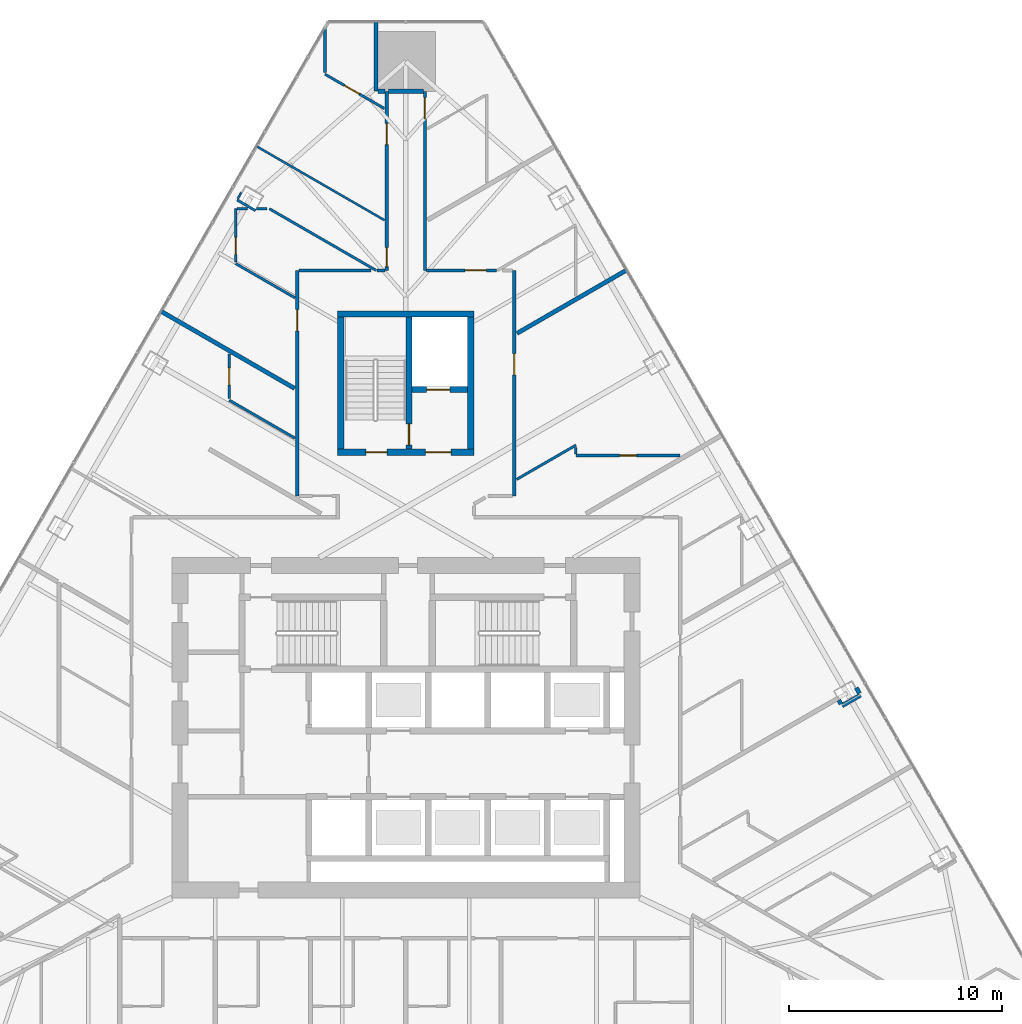
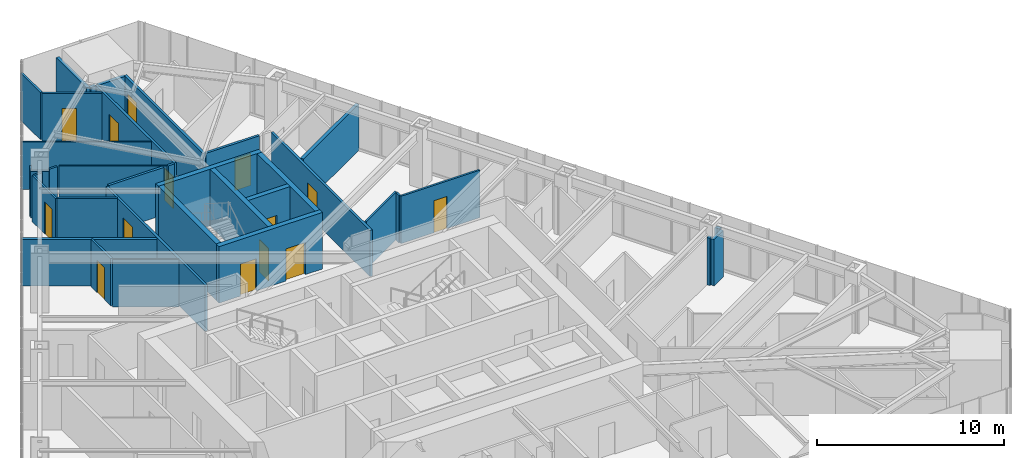
# One storey, part 23 of 26: 36 walls, 14 doors, 14 openings.
"""IFC4 building model written with IfcOpenShell, lengths in metres."""

from ifc_helpers import new_model, si_unit, direction, frame, frame_2d, origin, place, context, subcontext, project, spatial, rectangle, extrude, material, layer, layer_set, type_object, element, fill, save


model = new_model("IFC4")

# Units and contexts
model_context = context("Model", 3, precision=1e-05, world=origin(), true_north=direction((0.0, 1.0)))
body_context = subcontext(model_context, "Body", "Model", "MODEL_VIEW")
ifc_project = project(units=[si_unit("LENGTHUNIT", "METRE"), si_unit("AREAUNIT", "SQUARE_METRE"), si_unit("VOLUMEUNIT", "CUBIC_METRE"), si_unit("PLANEANGLEUNIT", "RADIAN"), si_unit("MASSUNIT", "GRAM", prefix="KILO")], contexts=[model_context])

# Site, building, storey
site_placement = place(None, origin())
site = spatial("IfcSite", under=ifc_project, at=site_placement, CompositionType="ELEMENT")
building_placement = place(site_placement, origin())
building = spatial("IfcBuilding", under=site, at=building_placement, Name="Firuza Gate Tower and Library", CompositionType="ELEMENT")
storey_placement = place(building_placement, frame((0.0, 0.0, 175.300048828125)))
storey = spatial("IfcBuildingStorey", under=building, at=storey_placement, Name="L40", CompositionType="ELEMENT", Elevation=175.300048828125)

# Wall, openings, doors
ifc_material_1 = material(Name="Concrete C80/95", Category="concrete")
ifc_layer_1 = layer(ifc_material_1, 0.300048828125)
ifc_layer_set_1 = layer_set([ifc_layer_1], Name="Core wall 300 C80/95")
wall_type_1 = type_object("IfcWallType", Name="Core wall 300 C80/95", PredefinedType="SHEAR", material=ifc_layer_set_1)
wall_1_placement = place(storey_placement, frame((71.800048828125, 87.949951171875, 0.0), z_axis=(0.0, 0.0, 1.0), x_axis=(1.0, 0.0, 0.0)))
wall_1 = element("IfcWall", 1, at=wall_1_placement, inside=storey, type_object=wall_type_1, Name="Core wall L40 27", PredefinedType="SHEAR", context=body_context, shape_type="SweptSolid", body=[
    extrude(rectangle(XDim=6.39990234375, YDim=0.300048828125, at=frame_2d((3.199951171875, 0.0))), origin(), (0.0, 0.0, 1.0), 3.699951171875),
])
opening_1_placement = place(wall_1_placement, frame((1.324951171875, 0.0, 0.0)))
opening_1 = element("IfcOpeningElement", 2, at=opening_1_placement, cuts=wall_1, Name="Opening L40-K15", PredefinedType="OPENING", context=body_context, shape_type="SweptSolid", body=[
    extrude(rectangle(XDim=1.0, YDim=2.10009765625, at=frame_2d((0.5, 1.050048828125))), frame((0.0, 0.16015625, 0.0), z_axis=(0.0, -1.0, 0.0), x_axis=(1.0, 0.0, 0.0)), (0.0, 0.0, 1.0), 0.320068359375),
])
opening_2_placement = place(wall_1_placement, frame((4.125, 0.0, 0.0)))
opening_2 = element("IfcOpeningElement", 3, at=opening_2_placement, cuts=wall_1, Name="Opening L40-K17", PredefinedType="OPENING", context=body_context, shape_type="SweptSolid", body=[
    extrude(rectangle(XDim=1.199951171875, YDim=2.10009765625, at=frame_2d((0.60009765625, 1.050048828125))), frame((0.0, 0.16015625, 0.0), z_axis=(0.0, -1.0, 0.0), x_axis=(1.0, 0.0, 0.0)), (0.0, 0.0, 1.0), 0.320068359375),
])
ifc_material_2 = material(Name="Steel", Category="steel")
door_type_1 = type_object("IfcDoorType", Name="Fire door 1000x2100 FD90", OperationType="NOTDEFINED", PredefinedType="DOOR", material=ifc_material_2)
door_1_placement = place(opening_1_placement, origin())
door_1 = element("IfcDoor", 4, at=door_1_placement, inside=storey, type_object=door_type_1, Name="Door L40-K15", OperationType="SINGLE_SWING_RIGHT", OverallHeight=2.10009765625, OverallWidth=1.0, PredefinedType="DOOR", context=body_context, shape_type="SweptSolid", body=[
    extrude(rectangle(XDim=1.0, YDim=2.10009765625, at=frame_2d((0.5, 1.050048828125))), frame((0.0, 0.02490234375, 0.0), z_axis=(0.0, -1.0, 0.0), x_axis=(1.0, 0.0, 0.0)), (0.0, 0.0, 1.0), 0.050048828125),
])
fill(opening_1, door_1)
ifc_material_3 = material(Name="Steel", Category="steel")
door_type_2 = type_object("IfcDoorType", Name="Fire door 1200x2100 FD30S", OperationType="NOTDEFINED", PredefinedType="DOOR", material=ifc_material_3)
door_2_placement = place(opening_2_placement, origin())
door_2 = element("IfcDoor", 5, at=door_2_placement, inside=storey, type_object=door_type_2, Name="Door L40-K17", OperationType="SINGLE_SWING_RIGHT", OverallHeight=2.10009765625, OverallWidth=1.199951171875, PredefinedType="DOOR", context=body_context, shape_type="SweptSolid", body=[
    extrude(rectangle(XDim=1.199951171875, YDim=2.10009765625, at=frame_2d((0.60009765625, 1.050048828125))), frame((0.0, 0.02490234375, 0.0), z_axis=(0.0, -1.0, 0.0), x_axis=(1.0, 0.0, 0.0)), (0.0, 0.0, 1.0), 0.050048828125),
])
fill(opening_2, door_2)

# Walls
wall_2_placement = place(storey_placement, frame((71.800048828125, 94.449951171875, 0.0), z_axis=(0.0, 0.0, 1.0), x_axis=(1.0, 0.0, 0.0)))
element("IfcWall", 6, at=wall_2_placement, inside=storey, type_object=wall_type_1, Name="Core wall L40 28", PredefinedType="SHEAR", context=body_context, shape_type="SweptSolid", body=[
    extrude(rectangle(XDim=6.39990234375, YDim=0.300048828125, at=frame_2d((3.199951171875, 0.0))), origin(), (0.0, 0.0, 1.0), 3.699951171875),
])
for number, where, z_axis, x_axis, name in (
    (7, (71.949951171875, 88.10009765625, 0.0), (0.0, 0.0, 1.0), (0.0, 1.0, 0.0), "Core wall L40 29"),
    (8, (78.050048828125, 88.10009765625, 0.0), (0.0, 0.0, 1.0), (0.0, 1.0, 0.0), "Core wall L40 30"),
):
    element("IfcWall", number, at=place(storey_placement, frame(where, z_axis=z_axis, x_axis=x_axis)), inside=storey, type_object=wall_type_1, Name=name, PredefinedType="SHEAR", context=body_context, shape_type="SweptSolid", body=[
        extrude(rectangle(XDim=6.199951171875, YDim=0.300048828125, at=frame_2d((3.10009765625, 0.0))), origin(), (0.0, 0.0, 1.0), 3.699951171875),
    ])

# Wall, opening, door
wall_3_placement = place(storey_placement, frame((75.300048828125, 90.89990234375, 0.0), z_axis=(0.0, 0.0, 1.0), x_axis=(1.0, 0.0, 0.0)))
wall_3 = element("IfcWall", 9, at=wall_3_placement, inside=storey, type_object=wall_type_1, Name="Core wall L40 31", PredefinedType="SHEAR", context=body_context, shape_type="SweptSolid", body=[
    extrude(rectangle(XDim=2.599853515625, YDim=0.300048828125, at=frame_2d((1.2998046875, 0.0))), origin(), (0.0, 0.0, 1.0), 3.699951171875),
])
opening_3_placement = place(wall_3_placement, frame((0.675048828125, 0.0, 0.0)))
opening_3 = element("IfcOpeningElement", 10, at=opening_3_placement, cuts=wall_3, Name="Opening LD-SV1-L40", PredefinedType="OPENING", context=body_context, shape_type="SweptSolid", body=[
    extrude(rectangle(XDim=1.10009765625, YDim=2.10009765625, at=frame_2d((0.550048828125, 1.050048828125))), frame((0.0, 0.16015625, 0.0), z_axis=(0.0, -1.0, 0.0), x_axis=(1.0, 0.0, 0.0)), (0.0, 0.0, 1.0), 0.320068359375),
])
ifc_material_4 = material(Name="Stainless steel", Category="steel")
door_type_3 = type_object("IfcDoorType", Name="Lift landing door 1100x2100", OperationType="DOUBLE_DOOR_SLIDING", PredefinedType="DOOR", material=ifc_material_4)
door_3_placement = place(opening_3_placement, origin())
door_3 = element("IfcDoor", 11, at=door_3_placement, inside=storey, type_object=door_type_3, Name="Landing door SV1 L40", OperationType="DOUBLE_DOOR_SLIDING", OverallHeight=2.10009765625, OverallWidth=1.10009765625, PredefinedType="DOOR", context=body_context, shape_type="SweptSolid", body=[
    extrude(rectangle(XDim=1.10009765625, YDim=2.10009765625, at=frame_2d((0.550048828125, 1.050048828125))), frame((0.0, 0.02490234375, 0.0), z_axis=(0.0, -1.0, 0.0), x_axis=(1.0, 0.0, 0.0)), (0.0, 0.0, 1.0), 0.050048828125),
])
fill(opening_3, door_3)

wall_4_placement = place(storey_placement, frame((75.14990234375, 88.10009765625, 0.0), z_axis=(0.0, 0.0, 1.0), x_axis=(0.0, 1.0, 0.0)))
wall_4 = element("IfcWall", 12, at=wall_4_placement, inside=storey, type_object=wall_type_1, Name="Core wall L40 32", PredefinedType="SHEAR", context=body_context, shape_type="SweptSolid", body=[
    extrude(rectangle(XDim=6.199951171875, YDim=0.300048828125, at=frame_2d((3.10009765625, 0.0))), origin(), (0.0, 0.0, 1.0), 3.699951171875),
])
opening_4_placement = place(wall_4_placement, frame((0.18505859375, 0.0, 0.0)))
opening_4 = element("IfcOpeningElement", 13, at=opening_4_placement, cuts=wall_4, Name="Opening L40-K16", PredefinedType="OPENING", context=body_context, shape_type="SweptSolid", body=[
    extrude(rectangle(XDim=1.0, YDim=2.10009765625, at=frame_2d((0.5, 1.050048828125))), frame((0.0, 0.16015625, 0.0), z_axis=(0.0, -1.0, 0.0), x_axis=(1.0, 0.0, 0.0)), (0.0, 0.0, 1.0), 0.320068359375),
])
door_4_placement = place(opening_4_placement, origin())
door_4 = element("IfcDoor", 14, at=door_4_placement, inside=storey, type_object=door_type_1, Name="Door L40-K16", OperationType="SINGLE_SWING_LEFT", OverallHeight=2.10009765625, OverallWidth=1.0, PredefinedType="DOOR", context=body_context, shape_type="SweptSolid", body=[
    extrude(rectangle(XDim=1.0, YDim=2.10009765625, at=frame_2d((0.5, 1.050048828125))), frame((0.0, 0.02490234375, 0.0), z_axis=(0.0, -1.0, 0.0), x_axis=(1.0, 0.0, 0.0)), (0.0, 0.0, 1.0), 0.050048828125),
])
fill(opening_4, door_4)

# Wall
ifc_material_5 = material(Name="Gypsum board partition")
ifc_layer_2 = layer(ifc_material_5, 0.14990234375)
ifc_layer_set_2 = layer_set([ifc_layer_2], Name="Corridor wall 150 double board on steel studs")
wall_type_2 = type_object("IfcWallType", Name="Corridor wall 150 double board on steel studs", PredefinedType="PARTITIONING", material=ifc_layer_set_2)
wall_5_placement = place(storey_placement, frame((69.97509765625, 96.5, 0.0), z_axis=(0.0, 0.0, 1.0), x_axis=(1.0, 0.0, 0.0)))
element("IfcWall", 15, at=wall_5_placement, inside=storey, type_object=wall_type_2, Name="f:L40:w016", PredefinedType="PARTITIONING", context=body_context, shape_type="SweptSolid", body=[
    extrude(rectangle(XDim=3.384033203125, YDim=0.14990234375, at=frame_2d((1.69189453125, 0.0))), origin(), (0.0, 0.0, 1.0), 3.099853515625),
])

# Wall, opening, door
wall_6_placement = place(storey_placement, frame((75.97509765625, 96.5, 0.0), z_axis=(0.0, 0.0, 1.0), x_axis=(1.0, 0.0, 0.0)))
wall_6 = element("IfcWall", 16, at=wall_6_placement, inside=storey, type_object=wall_type_2, Name="f:L40:w017", PredefinedType="PARTITIONING", context=body_context, shape_type="SweptSolid", body=[
    extrude(rectangle(XDim=3.299072265625, YDim=0.14990234375, at=frame_2d((1.6494140625, 0.0))), origin(), (0.0, 0.0, 1.0), 3.099853515625),
])
opening_5_placement = place(wall_6_placement, frame((1.814453125, 0.0, 0.0)))
opening_5 = element("IfcOpeningElement", 17, at=opening_5_placement, cuts=wall_6, Name="Opening L40-14", PredefinedType="OPENING", context=body_context, shape_type="SweptSolid", body=[
    extrude(rectangle(XDim=1.0, YDim=2.10009765625, at=frame_2d((0.5, 1.050048828125))), frame((0.0, 0.0849609375, 0.0), z_axis=(0.0, -1.0, 0.0), x_axis=(1.0, 0.0, 0.0)), (0.0, 0.0, 1.0), 0.169921875),
])
ifc_material_6 = material(Name="Steel door and timber leaf", Category="steel")
door_type_4 = type_object("IfcDoorType", Name="Fire door 1000 x 2100 steel frame, timber leaf", OperationType="NOTDEFINED", PredefinedType="DOOR", material=ifc_material_6)
door_5_placement = place(opening_5_placement, origin())
door_5 = element("IfcDoor", 18, at=door_5_placement, inside=storey, type_object=door_type_4, Name="f:L40:d014", OperationType="SINGLE_SWING_LEFT", OverallHeight=2.10009765625, OverallWidth=1.0, PredefinedType="DOOR", context=body_context, shape_type="SweptSolid", body=[
    extrude(rectangle(XDim=1.0, YDim=2.10009765625, at=frame_2d((0.5, 1.050048828125))), frame((0.0, 0.02490234375, 0.0), z_axis=(0.0, -1.0, 0.0), x_axis=(1.0, 0.0, 0.0)), (0.0, 0.0, 1.0), 0.050048828125),
])
fill(opening_5, door_5)

wall_7_placement = place(storey_placement, frame((80.10009765625, 96.5, 0.0), z_axis=(0.0, 0.0, 1.0), x_axis=(0.0, -1.0, 0.0)))
wall_7 = element("IfcWall", 19, at=wall_7_placement, inside=storey, type_object=wall_type_2, Name="f:L40:w059", PredefinedType="PARTITIONING", context=body_context, shape_type="SweptSolid", body=[
    extrude(rectangle(XDim=10.60009765625, YDim=0.14990234375, at=frame_2d((5.300048828125, 0.0))), origin(), (0.0, 0.0, 1.0), 3.02197265625),
])
opening_6_placement = place(wall_7_placement, frame((3.908935546875, 0.0, 0.0)))
opening_6 = element("IfcOpeningElement", 20, at=opening_6_placement, cuts=wall_7, Name="Opening L40-34", PredefinedType="OPENING", context=body_context, shape_type="SweptSolid", body=[
    extrude(rectangle(XDim=1.0, YDim=2.10009765625, at=frame_2d((0.5, 1.050048828125))), frame((0.0, 0.0849609375, 0.0), z_axis=(0.0, -1.0, 0.0), x_axis=(1.0, 0.0, 0.0)), (0.0, 0.0, 1.0), 0.169921875),
])
door_6_placement = place(opening_6_placement, origin())
door_6 = element("IfcDoor", 21, at=door_6_placement, inside=storey, type_object=door_type_4, Name="f:L40:d034", OperationType="SINGLE_SWING_RIGHT", OverallHeight=2.10009765625, OverallWidth=1.0, PredefinedType="DOOR", context=body_context, shape_type="SweptSolid", body=[
    extrude(rectangle(XDim=1.0, YDim=2.10009765625, at=frame_2d((0.5, 1.050048828125))), frame((0.0, 0.02490234375, 0.0), z_axis=(0.0, -1.0, 0.0), x_axis=(1.0, 0.0, 0.0)), (0.0, 0.0, 1.0), 0.050048828125),
])
fill(opening_6, door_6)

wall_8_placement = place(storey_placement, frame((75.89990234375, 104.923095703125, 0.0), z_axis=(0.0, 0.0, 1.0), x_axis=(0.0, -1.0, 0.0)))
wall_8 = element("IfcWall", 22, at=wall_8_placement, inside=storey, type_object=wall_type_2, Name="f:L40:w064", PredefinedType="PARTITIONING", context=body_context, shape_type="SweptSolid", body=[
    extrude(rectangle(XDim=8.423095703125, YDim=0.14990234375, at=frame_2d((4.21142578125, 0.0))), origin(), (0.0, 0.0, 1.0), 3.099853515625),
])
opening_7_placement = place(wall_8_placement, frame((0.29443359375, 0.0, 0.0)))
opening_7 = element("IfcOpeningElement", 23, at=opening_7_placement, cuts=wall_8, Name="Opening L40-35", PredefinedType="OPENING", context=body_context, shape_type="SweptSolid", body=[
    extrude(rectangle(XDim=1.0, YDim=2.10009765625, at=frame_2d((0.5, 1.050048828125))), frame((0.0, 0.0849609375, 0.0), z_axis=(0.0, -1.0, 0.0), x_axis=(1.0, 0.0, 0.0)), (0.0, 0.0, 1.0), 0.169921875),
])
door_7_placement = place(opening_7_placement, origin())
door_7 = element("IfcDoor", 24, at=door_7_placement, inside=storey, type_object=door_type_4, Name="f:L40:d035", OperationType="SINGLE_SWING_RIGHT", OverallHeight=2.10009765625, OverallWidth=1.0, PredefinedType="DOOR", context=body_context, shape_type="SweptSolid", body=[
    extrude(rectangle(XDim=1.0, YDim=2.10009765625, at=frame_2d((0.5, 1.050048828125))), frame((0.0, 0.02490234375, 0.0), z_axis=(0.0, -1.0, 0.0), x_axis=(1.0, 0.0, 0.0)), (0.0, 0.0, 1.0), 0.050048828125),
])
fill(opening_7, door_7)

# Wall, openings, doors
wall_9_placement = place(storey_placement, frame((74.10009765625, 96.5, 0.0), z_axis=(0.0, 0.0, 1.0), x_axis=(0.0, 1.0, 0.0)))
wall_9 = element("IfcWall", 25, at=wall_9_placement, inside=storey, type_object=wall_type_2, Name="f:L40:w067", PredefinedType="PARTITIONING", context=body_context, shape_type="SweptSolid", body=[
    extrude(rectangle(XDim=8.423583984375, YDim=0.14990234375, at=frame_2d((4.2119140625, 0.0))), origin(), (0.0, 0.0, 1.0), 3.099853515625),
])
opening_8_placement = place(wall_9_placement, frame((0.175048828125, 0.0, 0.0)))
opening_8 = element("IfcOpeningElement", 26, at=opening_8_placement, cuts=wall_9, Name="Opening L40-36", PredefinedType="OPENING", context=body_context, shape_type="SweptSolid", body=[
    extrude(rectangle(XDim=0.89990234375, YDim=2.10009765625, at=frame_2d((0.449951171875, 1.050048828125))), frame((0.0, 0.0849609375, 0.0), z_axis=(0.0, -1.0, 0.0), x_axis=(1.0, 0.0, 0.0)), (0.0, 0.0, 1.0), 0.169921875),
])
opening_9_placement = place(wall_9_placement, frame((5.915771484375, 0.0, 0.0)))
opening_9 = element("IfcOpeningElement", 27, at=opening_9_placement, cuts=wall_9, Name="Opening L40-37", PredefinedType="OPENING", context=body_context, shape_type="SweptSolid", body=[
    extrude(rectangle(XDim=1.0, YDim=2.10009765625, at=frame_2d((0.5, 1.050048828125))), frame((0.0, 0.0849609375, 0.0), z_axis=(0.0, -1.0, 0.0), x_axis=(1.0, 0.0, 0.0)), (0.0, 0.0, 1.0), 0.169921875),
])
door_8_placement = place(opening_9_placement, origin())
door_8 = element("IfcDoor", 28, at=door_8_placement, inside=storey, type_object=door_type_4, Name="f:L40:d037", OperationType="SINGLE_SWING_LEFT", OverallHeight=2.10009765625, OverallWidth=1.0, PredefinedType="DOOR", context=body_context, shape_type="SweptSolid", body=[
    extrude(rectangle(XDim=1.0, YDim=2.10009765625, at=frame_2d((0.5, 1.050048828125))), frame((0.0, 0.02490234375, 0.0), z_axis=(0.0, -1.0, 0.0), x_axis=(1.0, 0.0, 0.0)), (0.0, 0.0, 1.0), 0.050048828125),
])
fill(opening_9, door_8)
ifc_material_7 = material(Name="Steel door and timber leaf", Category="steel")
door_type_5 = type_object("IfcDoorType", Name="Fire door 900 x 2100 steel frame, timber leaf", OperationType="NOTDEFINED", PredefinedType="DOOR", material=ifc_material_7)
door_9_placement = place(opening_8_placement, origin())
door_9 = element("IfcDoor", 29, at=door_9_placement, inside=storey, type_object=door_type_5, Name="f:L40:d036", OperationType="SINGLE_SWING_LEFT", OverallHeight=2.10009765625, OverallWidth=0.89990234375, PredefinedType="DOOR", context=body_context, shape_type="SweptSolid", body=[
    extrude(rectangle(XDim=0.89990234375, YDim=2.10009765625, at=frame_2d((0.449951171875, 1.050048828125))), frame((0.0, 0.02490234375, 0.0), z_axis=(0.0, -1.0, 0.0), x_axis=(1.0, 0.0, 0.0)), (0.0, 0.0, 1.0), 0.050048828125),
])
fill(opening_8, door_9)

# Wall, opening, door
wall_10_placement = place(storey_placement, frame((69.89990234375, 85.900390625, 0.0), z_axis=(0.0, 0.0, 1.0), x_axis=(0.0, 1.0, 0.0)))
wall_10 = element("IfcWall", 30, at=wall_10_placement, inside=storey, type_object=wall_type_2, Name="f:L40:w073", PredefinedType="PARTITIONING", context=body_context, shape_type="SweptSolid", body=[
    extrude(rectangle(XDim=10.599609375, YDim=0.14990234375, at=frame_2d((5.2998046875, 0.0))), origin(), (0.0, 0.0, 1.0), 3.02197265625),
])
opening_10_placement = place(wall_10_placement, frame((7.76025390625, 0.0, 0.0)))
opening_10 = element("IfcOpeningElement", 31, at=opening_10_placement, cuts=wall_10, Name="Opening L40-38", PredefinedType="OPENING", context=body_context, shape_type="SweptSolid", body=[
    extrude(rectangle(XDim=1.0, YDim=2.10009765625, at=frame_2d((0.5, 1.050048828125))), frame((0.0, 0.0849609375, 0.0), z_axis=(0.0, -1.0, 0.0), x_axis=(1.0, 0.0, 0.0)), (0.0, 0.0, 1.0), 0.169921875),
])
door_10_placement = place(opening_10_placement, origin())
door_10 = element("IfcDoor", 32, at=door_10_placement, inside=storey, type_object=door_type_4, Name="f:L40:d038", OperationType="SINGLE_SWING_RIGHT", OverallHeight=2.10009765625, OverallWidth=1.0, PredefinedType="DOOR", context=body_context, shape_type="SweptSolid", body=[
    extrude(rectangle(XDim=1.0, YDim=2.10009765625, at=frame_2d((0.5, 1.050048828125))), frame((0.0, 0.02490234375, 0.0), z_axis=(0.0, -1.0, 0.0), x_axis=(1.0, 0.0, 0.0)), (0.0, 0.0, 1.0), 0.050048828125),
])
fill(opening_10, door_10)

# Walls
wall_11_placement = place(storey_placement, frame((73.638671875, 96.5, 0.0), z_axis=(0.0, 0.0, 1.0), x_axis=(1.0, 0.0, 0.0)))
element("IfcWall", 33, at=wall_11_placement, inside=storey, type_object=wall_type_2, Name="f:L40:w115", PredefinedType="PARTITIONING", context=body_context, shape_type="SweptSolid", body=[
    extrude(rectangle(XDim=0.38623046875, YDim=0.14990234375, at=frame_2d((0.193115234375, 0.0))), origin(), (0.0, 0.0, 1.0), 3.099853515625),
])
ifc_material_8 = material(Name="Gypsum board partition")
ifc_layer_3 = layer(ifc_material_8, 0.199951171875)
ifc_layer_set_3 = layer_set([ifc_layer_3], Name="Demising wall 200 acoustic double stud")
wall_type_3 = type_object("IfcWallType", Name="Demising wall 200 acoustic double stud", PredefinedType="PARTITIONING", material=ifc_layer_set_3)
wall_12_placement = place(storey_placement, frame((73.700439453125, 104.923095703125, 0.0), z_axis=(0.0, 0.0, 1.0), x_axis=(1.0, 0.0, 0.0)))
element("IfcWall", 34, at=wall_12_placement, inside=storey, type_object=wall_type_3, Name="f:L40:w020", PredefinedType="PARTITIONING", context=body_context, shape_type="SweptSolid", body=[
    extrude(rectangle(XDim=0.324462890625, YDim=0.199951171875, at=frame_2d((0.162109375, 0.0))), origin(), (0.0, 0.0, 1.0), 3.099853515625),
])
wall_13_placement = place(storey_placement, frame((95.511962890625, 76.0322265625, 0.0), z_axis=(0.0, 0.0, 1.0), x_axis=(0.86597798544, 0.50008212199, 0.0)))
element("IfcWall", 35, at=wall_13_placement, inside=storey, type_object=wall_type_3, Name="f:L40:w027", PredefinedType="PARTITIONING", context=body_context, shape_type="SweptSolid", body=[
    extrude(rectangle(XDim=0.998779296875, YDim=0.199951171875, at=frame_2d((0.49951171875, 0.0))), origin(), (0.0, 0.0, 1.0), 3.02197265625),
])
wall_14_placement = place(storey_placement, frame((80.226806640625, 93.54052734375, 0.0), z_axis=(0.0, 0.0, 1.0), x_axis=(0.86603507536, 0.499983247966, 0.0)))
element("IfcWall", 36, at=wall_14_placement, inside=storey, type_object=wall_type_3, Name="f:L40:w041", PredefinedType="PARTITIONING", context=body_context, shape_type="SweptSolid", body=[
    extrude(rectangle(XDim=5.942626953125, YDim=0.199951171875, at=frame_2d((2.97119140625, 0.0))), origin(), (0.0, 0.0, 1.0), 3.02197265625),
])
wall_15_placement = place(storey_placement, frame((73.60009765625, 104.924072265625, 0.0), z_axis=(0.0, 0.0, 1.0), x_axis=(0.0, 1.0, 0.0)))
element("IfcWall", 37, at=wall_15_placement, inside=storey, type_object=wall_type_3, Name="f:L40:w068", PredefinedType="PARTITIONING", context=body_context, shape_type="SweptSolid", body=[
    extrude(rectangle(XDim=3.259521484375, YDim=0.199951171875, at=frame_2d((1.6298828125, 0.0))), origin(), (0.0, 0.0, 1.0), 3.099853515625),
])
wall_16_placement = place(storey_placement, frame((96.326904296875, 76.618896484375, 0.0), z_axis=(0.0, 0.0, 1.0), x_axis=(-0.49965177357, 0.866226359082, 0.0)))
element("IfcWall", 38, at=wall_16_placement, inside=storey, type_object=wall_type_3, Name="f:L40:w088", PredefinedType="PARTITIONING", context=body_context, shape_type="SweptSolid", body=[
    extrude(rectangle(XDim=0.299072265625, YDim=0.199951171875, at=frame_2d((0.1494140625, 0.0))), origin(), (0.0, 0.0, 1.0), 3.099853515625),
])
wall_17_placement = place(storey_placement, frame((95.4609375, 76.118896484375, 0.0), z_axis=(0.0, 0.0, 1.0), x_axis=(-0.500359323436, 0.865817848887, 0.0)))
element("IfcWall", 39, at=wall_17_placement, inside=storey, type_object=wall_type_3, Name="f:L40:w090", PredefinedType="PARTITIONING", context=body_context, shape_type="SweptSolid", body=[
    extrude(rectangle(XDim=0.198974609375, YDim=0.199951171875, at=frame_2d((0.099609375, 0.0))), origin(), (0.0, 0.0, 1.0), 3.099853515625),
])
wall_18_placement = place(storey_placement, frame((69.77294921875, 90.952880859375, 0.0), z_axis=(0.0, 0.0, 1.0), x_axis=(-0.866025463095, 0.499999897272, 0.0)))
element("IfcWall", 40, at=wall_18_placement, inside=storey, type_object=wall_type_3, Name="f:L40:w097", PredefinedType="PARTITIONING", context=body_context, shape_type="SweptSolid", body=[
    extrude(rectangle(XDim=7.236328125, YDim=0.199951171875, at=frame_2d((3.6181640625, 0.0))), origin(), (0.0, 0.0, 1.0), 3.02197265625),
])
wall_19_placement = place(storey_placement, frame((74.175048828125, 104.923095703125, 0.0), z_axis=(0.0, 0.0, 1.0), x_axis=(1.0, 0.0, 0.0)))
element("IfcWall", 41, at=wall_19_placement, inside=storey, type_object=wall_type_3, Name="f:L40:w117", PredefinedType="PARTITIONING", context=body_context, shape_type="SweptSolid", body=[
    extrude(rectangle(XDim=1.6494140625, YDim=0.199951171875, at=frame_2d((0.82470703125, 0.0))), origin(), (0.0, 0.0, 1.0), 3.096923828125),
])
ifc_material_9 = material(Name="Gypsum board partition")
ifc_layer_4 = layer(ifc_material_9, 0.10009765625)
ifc_layer_set_4 = layer_set([ifc_layer_4], Name="Partition 100 gypsum board on steel studs")
wall_type_4 = type_object("IfcWallType", Name="Partition 100 gypsum board on steel studs", PredefinedType="PARTITIONING", material=ifc_layer_set_4)
wall_20_placement = place(storey_placement, frame((67.10009765625, 99.876708984375, 0.0), z_axis=(0.0, 0.0, 1.0), x_axis=(0.500277597875, 0.865865073245, 0.0)))
element("IfcWall", 42, at=wall_20_placement, inside=storey, type_object=wall_type_4, Name="f:L40:w046", PredefinedType="PARTITIONING", context=body_context, shape_type="SweptSolid", body=[
    extrude(rectangle(XDim=0.329833984375, YDim=0.10009765625, at=frame_2d((0.1650390625, 0.0))), origin(), (0.0, 0.0, 1.0), 3.099853515625),
])
wall_21_placement = place(storey_placement, frame((73.998779296875, 98.861572265625, 0.0), z_axis=(0.0, 0.0, 1.0), x_axis=(-0.866026860931, 0.49999747614, 0.0)))
element("IfcWall", 43, at=wall_21_placement, inside=storey, type_object=wall_type_4, Name="f:L40:w093", PredefinedType="PARTITIONING", context=body_context, shape_type="SweptSolid", body=[
    extrude(rectangle(XDim=6.94140625, YDim=0.10009765625, at=frame_2d((3.470703125, 0.0))), origin(), (0.0, 0.0, 1.0), 3.099853515625),
])

# Wall, opening, door
ifc_material_10 = material(Name="Gypsum board partition")
ifc_layer_5 = layer(ifc_material_10, 0.1201171875)
ifc_layer_set_5 = layer_set([ifc_layer_5], Name="Wet-area partition 120 moisture-resistant board")
wall_type_5 = type_object("IfcWallType", Name="Wet-area partition 120 moisture-resistant board", PredefinedType="PARTITIONING", material=ifc_layer_set_5)
wall_22_placement = place(storey_placement, frame((87.8984375, 87.800048828125, 0.0), z_axis=(0.0, 0.0, 1.0), x_axis=(-1.0, 0.0, 0.0)))
wall_22 = element("IfcWall", 44, at=wall_22_placement, inside=storey, type_object=wall_type_5, Name="f:L40:w015", PredefinedType="PARTITIONING", context=body_context, shape_type="SweptSolid", body=[
    extrude(rectangle(XDim=4.8984375, YDim=0.1201171875, at=frame_2d((2.44921875, 0.0))), origin(), (0.0, 0.0, 1.0), 3.099853515625),
])
opening_11_placement = place(wall_22_placement, frame((2.049072265625, 0.0, 0.0)))
opening_11 = element("IfcOpeningElement", 45, at=opening_11_placement, cuts=wall_22, Name="Opening L40-13", PredefinedType="OPENING", context=body_context, shape_type="SweptSolid", body=[
    extrude(rectangle(XDim=0.800048828125, YDim=2.10009765625, at=frame_2d((0.39990234375, 1.050048828125))), frame((0.0, 0.070068359375, 0.0), z_axis=(0.0, -1.0, 0.0), x_axis=(1.0, 0.0, 0.0)), (0.0, 0.0, 1.0), 0.14013671875),
])
ifc_material_11 = material(Name="Timber door", Category="wood")
door_type_6 = type_object("IfcDoorType", Name="Door 800 x 2100 timber leaf", OperationType="NOTDEFINED", PredefinedType="DOOR", material=ifc_material_11)
door_11_placement = place(opening_11_placement, origin())
door_11 = element("IfcDoor", 46, at=door_11_placement, inside=storey, type_object=door_type_6, Name="f:L40:d013", OperationType="SINGLE_SWING_LEFT", OverallHeight=2.10009765625, OverallWidth=0.800048828125, PredefinedType="DOOR", context=body_context, shape_type="SweptSolid", body=[
    extrude(rectangle(XDim=0.800048828125, YDim=2.10009765625, at=frame_2d((0.39990234375, 1.050048828125))), frame((0.0, 0.02490234375, 0.0), z_axis=(0.0, -1.0, 0.0), x_axis=(1.0, 0.0, 0.0)), (0.0, 0.0, 1.0), 0.050048828125),
])
fill(opening_11, door_11)

# Walls
wall_23_placement = place(storey_placement, frame((67.06005859375, 99.39990234375, 0.0), z_axis=(0.0, 0.0, 1.0), x_axis=(1.0, 0.0, 0.0)))
element("IfcWall", 47, at=wall_23_placement, inside=storey, type_object=wall_type_5, Name="f:L40:w018", PredefinedType="PARTITIONING", context=body_context, shape_type="SweptSolid", body=[
    extrude(rectangle(XDim=0.49560546875, YDim=0.1201171875, at=frame_2d((0.247802734375, 0.0))), origin(), (0.0, 0.0, 1.0), 3.02197265625),
])
wall_24_placement = place(storey_placement, frame((67.97998046875, 99.39990234375, 0.0), z_axis=(0.0, 0.0, 1.0), x_axis=(1.0, 0.0, 0.0)))
element("IfcWall", 48, at=wall_24_placement, inside=storey, type_object=wall_type_5, Name="f:L40:w019", PredefinedType="PARTITIONING", context=body_context, shape_type="SweptSolid", body=[
    extrude(rectangle(XDim=0.485595703125, YDim=0.1201171875, at=frame_2d((0.24267578125, 0.0))), origin(), (0.0, 0.0, 1.0), 3.099853515625),
])
wall_25_placement = place(storey_placement, frame((80.20947265625, 86.675048828125, 0.0), z_axis=(0.0, 0.0, 1.0), x_axis=(0.86604299788, 0.499969524894, 0.0)))
element("IfcWall", 49, at=wall_25_placement, inside=storey, type_object=wall_type_5, Name="f:L40:w040", PredefinedType="PARTITIONING", context=body_context, shape_type="SweptSolid", body=[
    extrude(rectangle(XDim=3.221923828125, YDim=0.1201171875, at=frame_2d((1.61083984375, 0.0))), origin(), (0.0, 0.0, 1.0), 3.099853515625),
])
wall_26_placement = place(storey_placement, frame((83.0, 87.860107421875, 0.0), z_axis=(0.0, 0.0, 1.0), x_axis=(0.0, 1.0, 0.0)))
element("IfcWall", 50, at=wall_26_placement, inside=storey, type_object=wall_type_5, Name="f:L40:w057", PredefinedType="PARTITIONING", context=body_context, shape_type="SweptSolid", body=[
    extrude(rectangle(XDim=0.316162109375, YDim=0.1201171875, at=frame_2d((0.158203125, 0.0))), origin(), (0.0, 0.0, 1.0), 3.099853515625),
])
wall_27_placement = place(storey_placement, frame((71.199951171875, 105.7939453125, 0.0), z_axis=(0.0, 0.0, 1.0), x_axis=(0.0, 1.0, 0.0)))
element("IfcWall", 51, at=wall_27_placement, inside=storey, type_object=wall_type_5, Name="f:L40:w071", PredefinedType="PARTITIONING", context=body_context, shape_type="SweptSolid", body=[
    extrude(rectangle(XDim=2.10302734375, YDim=0.1201171875, at=frame_2d((1.051513671875, 0.0))), origin(), (0.0, 0.0, 1.0), 3.099853515625),
])

# Wall, opening, door
wall_28_placement = place(storey_placement, frame((67.0, 99.39990234375, 0.0), z_axis=(0.0, 0.0, 1.0), x_axis=(0.0, -1.0, 0.0)))
wall_28 = element("IfcWall", 52, at=wall_28_placement, inside=storey, type_object=wall_type_5, Name="f:L40:w075", PredefinedType="PARTITIONING", context=body_context, shape_type="SweptSolid", body=[
    extrude(rectangle(XDim=2.5078125, YDim=0.1201171875, at=frame_2d((1.25390625, 0.0))), origin(), (0.0, 0.0, 1.0), 3.02197265625),
])
opening_12_placement = place(wall_28_placement, frame((1.35009765625, 0.0, 0.0)))
opening_12 = element("IfcOpeningElement", 53, at=opening_12_placement, cuts=wall_28, Name="Opening L40-39", PredefinedType="OPENING", context=body_context, shape_type="SweptSolid", body=[
    extrude(rectangle(XDim=0.800048828125, YDim=2.10009765625, at=frame_2d((0.39990234375, 1.050048828125))), frame((0.0, 0.070068359375, 0.0), z_axis=(0.0, -1.0, 0.0), x_axis=(1.0, 0.0, 0.0)), (0.0, 0.0, 1.0), 0.14013671875),
])
door_12_placement = place(opening_12_placement, origin())
door_12 = element("IfcDoor", 54, at=door_12_placement, inside=storey, type_object=door_type_6, Name="f:L40:d039", OperationType="SINGLE_SWING_RIGHT", OverallHeight=2.10009765625, OverallWidth=0.800048828125, PredefinedType="DOOR", context=body_context, shape_type="SweptSolid", body=[
    extrude(rectangle(XDim=0.800048828125, YDim=2.10009765625, at=frame_2d((0.39990234375, 1.050048828125))), frame((0.0, 0.02490234375, 0.0), z_axis=(0.0, -1.0, 0.0), x_axis=(1.0, 0.0, 0.0)), (0.0, 0.0, 1.0), 0.050048828125),
])
fill(opening_12, door_12)

wall_29_placement = place(storey_placement, frame((66.699951171875, 92.572021484375, 0.0), z_axis=(0.0, 0.0, 1.0), x_axis=(0.0, -1.0, 0.0)))
wall_29 = element("IfcWall", 55, at=wall_29_placement, inside=storey, type_object=wall_type_5, Name="f:L40:w076", PredefinedType="PARTITIONING", context=body_context, shape_type="SweptSolid", body=[
    extrude(rectangle(XDim=2.103759765625, YDim=0.1201171875, at=frame_2d((1.0517578125, 0.0))), origin(), (0.0, 0.0, 1.0), 3.099853515625),
])
opening_13_placement = place(wall_29_placement, frame((0.65185546875, 0.0, 0.0)))
opening_13 = element("IfcOpeningElement", 56, at=opening_13_placement, cuts=wall_29, Name="Opening L40-40", PredefinedType="OPENING", context=body_context, shape_type="SweptSolid", body=[
    extrude(rectangle(XDim=0.800048828125, YDim=2.10009765625, at=frame_2d((0.39990234375, 1.050048828125))), frame((0.0, 0.070068359375, 0.0), z_axis=(0.0, -1.0, 0.0), x_axis=(1.0, 0.0, 0.0)), (0.0, 0.0, 1.0), 0.14013671875),
])
door_13_placement = place(opening_13_placement, origin())
door_13 = element("IfcDoor", 57, at=door_13_placement, inside=storey, type_object=door_type_6, Name="f:L40:d040", OperationType="SINGLE_SWING_RIGHT", OverallHeight=2.10009765625, OverallWidth=0.800048828125, PredefinedType="DOOR", context=body_context, shape_type="SweptSolid", body=[
    extrude(rectangle(XDim=0.800048828125, YDim=2.10009765625, at=frame_2d((0.39990234375, 1.050048828125))), frame((0.0, 0.02490234375, 0.0), z_axis=(0.0, -1.0, 0.0), x_axis=(1.0, 0.0, 0.0)), (0.0, 0.0, 1.0), 0.050048828125),
])
fill(opening_13, door_13)

wall_30_placement = place(storey_placement, frame((71.199951171875, 105.724365234375, 0.0), z_axis=(0.0, 0.0, 1.0), x_axis=(0.86604299788, -0.499969524894, 0.0)))
wall_30 = element("IfcWall", 58, at=wall_30_placement, inside=storey, type_object=wall_type_5, Name="f:L40:w092", PredefinedType="PARTITIONING", context=body_context, shape_type="SweptSolid", body=[
    extrude(rectangle(XDim=3.221923828125, YDim=0.1201171875, at=frame_2d((1.61083984375, 0.0))), origin(), (0.0, 0.0, 1.0), 3.099853515625),
])
opening_14_placement = place(wall_30_placement, frame((1.06103515625, 0.0, 0.0)))
opening_14 = element("IfcOpeningElement", 59, at=opening_14_placement, cuts=wall_30, Name="Opening L40-44", PredefinedType="OPENING", context=body_context, shape_type="SweptSolid", body=[
    extrude(rectangle(XDim=0.800048828125, YDim=2.10009765625, at=frame_2d((0.39990234375, 1.050048828125))), frame((0.0, 0.070068359375, 0.0), z_axis=(0.0, -1.0, 0.0), x_axis=(1.0, 0.0, 0.0)), (0.0, 0.0, 1.0), 0.14013671875),
])
door_14_placement = place(opening_14_placement, origin())
door_14 = element("IfcDoor", 60, at=door_14_placement, inside=storey, type_object=door_type_6, Name="f:L40:d044", OperationType="SINGLE_SWING_LEFT", OverallHeight=2.10009765625, OverallWidth=0.800048828125, PredefinedType="DOOR", context=body_context, shape_type="SweptSolid", body=[
    extrude(rectangle(XDim=0.800048828125, YDim=2.10009765625, at=frame_2d((0.39990234375, 1.050048828125))), frame((0.0, 0.02490234375, 0.0), z_axis=(0.0, -1.0, 0.0), x_axis=(1.0, 0.0, 0.0)), (0.0, 0.0, 1.0), 0.050048828125),
])
fill(opening_14, door_14)

# Walls
wall_31_placement = place(storey_placement, frame((73.608642578125, 96.500244140625, 0.0), z_axis=(0.0, 0.0, 1.0), x_axis=(-0.866032775405, 0.499987231761, 0.0)))
element("IfcWall", 61, at=wall_31_placement, inside=storey, type_object=wall_type_5, Name="f:L40:w094", PredefinedType="PARTITIONING", context=body_context, shape_type="SweptSolid", body=[
    extrude(rectangle(XDim=5.800048828125, YDim=0.1201171875, at=frame_2d((2.89990234375, 0.0))), origin(), (0.0, 0.0, 1.0), 3.099853515625),
])
wall_32_placement = place(storey_placement, frame((67.931640625, 99.31591796875, 0.0), z_axis=(0.0, 0.0, 1.0), x_axis=(-0.866010750942, 0.50002537861, 0.0)))
element("IfcWall", 62, at=wall_32_placement, inside=storey, type_object=wall_type_5, Name="f:L40:w095", PredefinedType="PARTITIONING", context=body_context, shape_type="SweptSolid", body=[
    extrude(rectangle(XDim=1.0, YDim=0.1201171875, at=frame_2d((0.5, 0.0))), origin(), (0.0, 0.0, 1.0), 3.02197265625),
])
wall_33_placement = place(storey_placement, frame((69.790283203125, 95.2119140625, 0.0), z_axis=(0.0, 0.0, 1.0), x_axis=(-0.86604299788, 0.499969524894, 0.0)))
element("IfcWall", 63, at=wall_33_placement, inside=storey, type_object=wall_type_5, Name="f:L40:w096", PredefinedType="PARTITIONING", context=body_context, shape_type="SweptSolid", body=[
    extrude(rectangle(XDim=3.221923828125, YDim=0.1201171875, at=frame_2d((1.61083984375, 0.0))), origin(), (0.0, 0.0, 1.0), 3.099853515625),
])
wall_34_placement = place(storey_placement, frame((69.79052734375, 88.614990234375, 0.0), z_axis=(0.0, 0.0, 1.0), x_axis=(-0.866045460162, 0.499965259726, 0.0)))
element("IfcWall", 64, at=wall_34_placement, inside=storey, type_object=wall_type_5, Name="f:L40:w098", PredefinedType="PARTITIONING", context=body_context, shape_type="SweptSolid", body=[
    extrude(rectangle(XDim=3.568603515625, YDim=0.1201171875, at=frame_2d((1.7841796875, 0.0))), origin(), (0.0, 0.0, 1.0), 3.099853515625),
])

save(model, "model.ifc")
